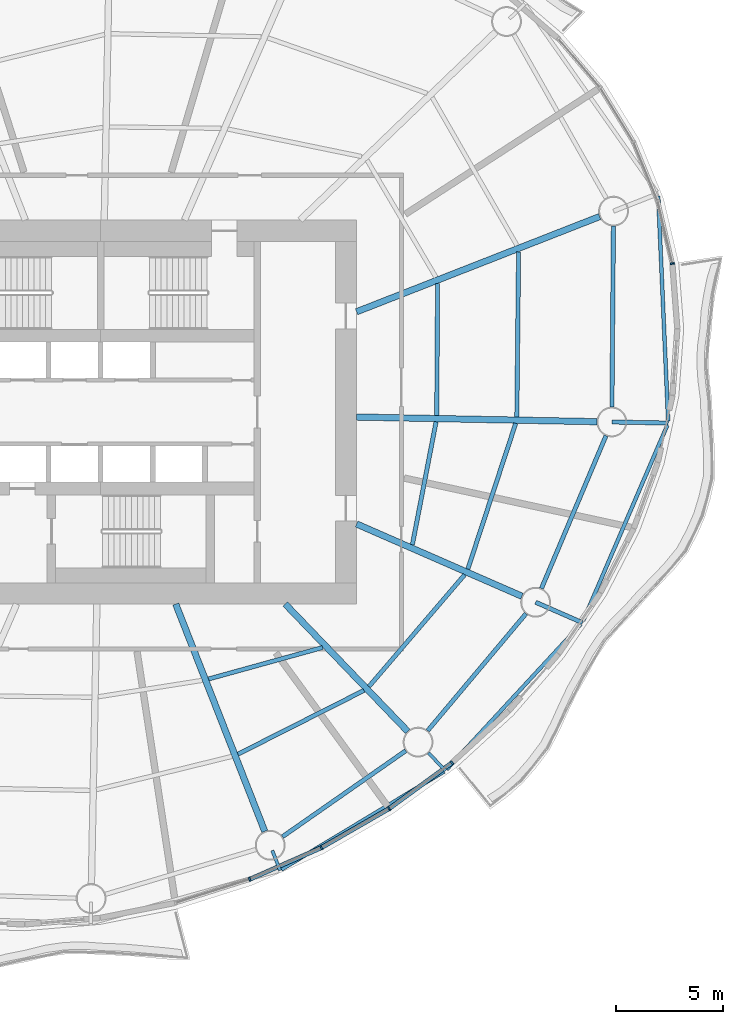
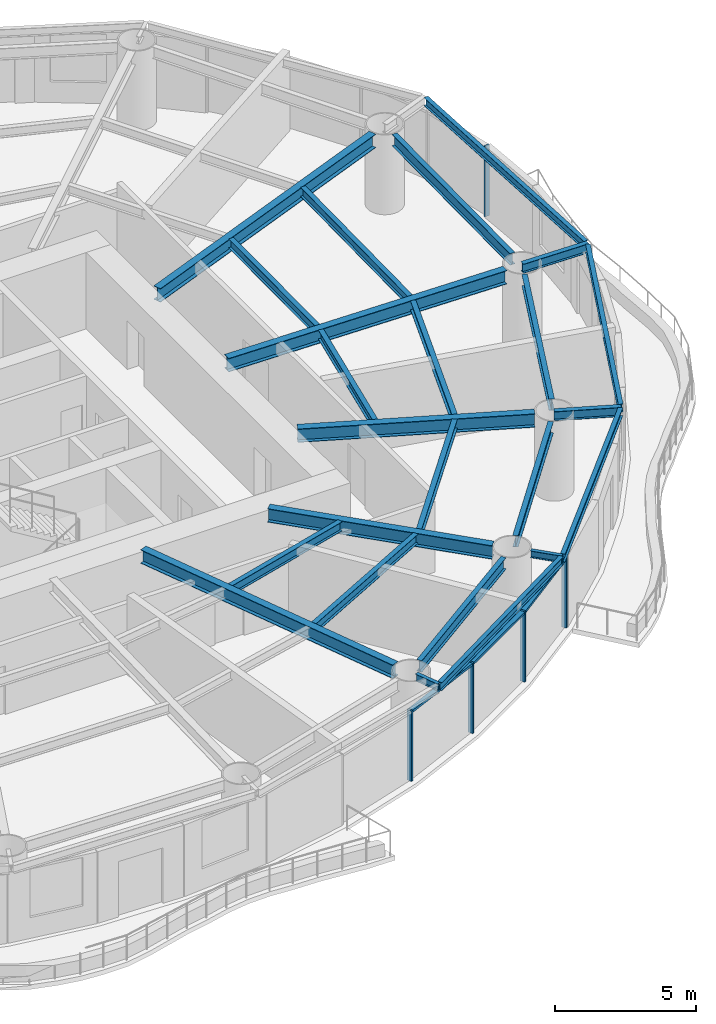
# One storey, part 4 of 14: 24 beams, 8 members, 4 elements without a shape of their own.
"""IFC4 building model written with IfcOpenShell, lengths in metres."""

from ifc_helpers import new_model, si_unit, direction, frame, origin, origin_2d, place, context, subcontext, project, spatial, rectangle, i_section, extrude, material, material_profile, profile_set, type_object, element, aggregate, save


model = new_model("IFC4")

# Units and contexts
model_context = context("Model", 3, precision=1e-05, world=origin(), true_north=direction((0.0, 1.0)))
body_context = subcontext(model_context, "Body", "Model", "MODEL_VIEW")
ifc_project = project(units=[si_unit("LENGTHUNIT", "METRE"), si_unit("AREAUNIT", "SQUARE_METRE"), si_unit("VOLUMEUNIT", "CUBIC_METRE"), si_unit("PLANEANGLEUNIT", "RADIAN"), si_unit("MASSUNIT", "GRAM", prefix="KILO")], contexts=[model_context])

# Site, building, storey
site_placement = place(None, origin())
site = spatial("IfcSite", under=ifc_project, at=site_placement, CompositionType="ELEMENT")
building_placement = place(site_placement, origin())
building = spatial("IfcBuilding", under=site, at=building_placement, Name="Vermilion Reach Broadcast Tower", CompositionType="ELEMENT")
storey_placement = place(building_placement, frame((0.0, 0.0, 143.39990234375)))
storey = spatial("IfcBuildingStorey", under=building, at=storey_placement, Name="L33", CompositionType="ELEMENT", Elevation=143.39990234375)

# Beams
ifc_material_1 = material(Name="Steel S355J2", Category="steel")
ifc_material_profile_1 = material_profile(ifc_material_1, i_section(OverallWidth=0.175048828125, OverallDepth=0.35009765625, WebThickness=0.007080078125, FlangeThickness=0.010986328125, at=origin_2d()), Name="S355J2 HN 350x175x7x11")
ifc_profile_set_1 = profile_set([ifc_material_profile_1], Name="Steel S355J2")
beam_type_1 = type_object("IfcBeamType", Name="EB3 HN 350x175x7x11", PredefinedType="BEAM", material=ifc_profile_set_1)
beam_1_placement = place(storey_placement, frame((2.47705078125, -21.436279296875, 3.275146484375), z_axis=(0.856561978584, 0.516044161718, 0.0), x_axis=(-0.516044161718, 0.856561978584, 0.0)))
element("IfcBeam", 1, at=beam_1_placement, inside=storey, type_object=beam_type_1, Name="Edge beam EB3-12", PredefinedType="BEAM", context=body_context, shape_type="SweptSolid", body=[
    extrude(i_section(OverallWidth=0.175048828125, OverallDepth=0.35009765625, WebThickness=0.007080078125, FlangeThickness=0.010986328125, at=origin_2d()), origin(), (0.0, 0.0, 1.0), 8.89892578125),
])
beam_2_placement = place(storey_placement, frame((10.216552734375, -16.7490234375, 3.275146484375), z_axis=(0.67884029594, 0.73428594744, 0.0), x_axis=(-0.73428594744, 0.67884029594, 0.0)))
element("IfcBeam", 2, at=beam_2_placement, inside=storey, type_object=beam_type_1, Name="Edge beam EB3-13", PredefinedType="BEAM", context=body_context, shape_type="SweptSolid", body=[
    extrude(i_section(OverallWidth=0.175048828125, OverallDepth=0.35009765625, WebThickness=0.007080078125, FlangeThickness=0.010986328125, at=origin_2d()), origin(), (0.0, 0.0, 1.0), 9.264404296875),
])
beam_3_placement = place(storey_placement, frame((16.616943359375, -9.776611328125, 3.275146484375), z_axis=(0.395428238407, 0.918496874393, 0.0), x_axis=(-0.918496874393, 0.395428238407, 0.0)))
element("IfcBeam", 3, at=beam_3_placement, inside=storey, type_object=beam_type_1, Name="Edge beam EB3-14", PredefinedType="BEAM", context=body_context, shape_type="SweptSolid", body=[
    extrude(i_section(OverallWidth=0.175048828125, OverallDepth=0.35009765625, WebThickness=0.007080078125, FlangeThickness=0.010986328125, at=origin_2d()), origin(), (0.0, 0.0, 1.0), 9.974853515625),
])
beam_4_placement = place(storey_placement, frame((20.599609375, -0.415283203125, 3.275146484375), z_axis=(-0.044157954305, 0.999024561796, 0.0), x_axis=(-0.999024561796, -0.044157954305, 0.0)))
element("IfcBeam", 4, at=beam_4_placement, inside=storey, type_object=beam_type_1, Name="Edge beam EB3-15", PredefinedType="BEAM", context=body_context, shape_type="SweptSolid", body=[
    extrude(i_section(OverallWidth=0.175048828125, OverallDepth=0.35009765625, WebThickness=0.007080078125, FlangeThickness=0.010986328125, at=origin_2d()), origin(), (0.0, 0.0, 1.0), 10.554443359375),
])
ifc_material_2 = material(Name="Steel S355J2", Category="steel")
ifc_material_profile_2 = material_profile(ifc_material_2, i_section(OverallWidth=0.300048828125, OverallDepth=0.587890625, WebThickness=0.011962890625, FlangeThickness=0.02001953125, at=origin_2d()), Name="S355J2 HM 588x300x12x20")
ifc_profile_set_2 = profile_set([ifc_material_profile_2], Name="Steel S355J2")
beam_type_2 = type_object("IfcBeamType", Name="G3 HM 588x300x12x20", PredefinedType="BEAM", material=ifc_profile_set_2)
beam_5_placement = place(storey_placement, frame((-2.474853515625, -9.0, 3.156005859375), z_axis=(0.364715649973, -0.931118947646, 0.0), x_axis=(0.931118947646, 0.364715649973, 0.0)))
element("IfcBeam", 5, at=beam_5_placement, inside=storey, type_object=beam_type_2, Name="Girder G3-12", PredefinedType="BEAM", context=body_context, shape_type="SweptSolid", body=[
    extrude(i_section(OverallWidth=0.300048828125, OverallDepth=0.587890625, WebThickness=0.011962890625, FlangeThickness=0.02001953125, at=origin_2d()), origin(), (0.0, 0.0, 1.0), 11.436767578125),
])
beam_6_placement = place(storey_placement, frame((2.657958984375, -9.0, 3.156005859375), z_axis=(0.693282657492, -0.72066577331, 0.0), x_axis=(0.72066577331, 0.693282657492, 0.0)))
element("IfcBeam", 6, at=beam_6_placement, inside=storey, type_object=beam_type_2, Name="Girder G3-13", PredefinedType="BEAM", context=body_context, shape_type="SweptSolid", body=[
    extrude(i_section(OverallWidth=0.300048828125, OverallDepth=0.587890625, WebThickness=0.011962890625, FlangeThickness=0.02001953125, at=origin_2d()), origin(), (0.0, 0.0, 1.0), 8.273681640625),
])
beam_7_placement = place(storey_placement, frame((6.0, -5.2451171875, 3.156005859375), z_axis=(0.916287847036, -0.400520388213, 0.0), x_axis=(0.400520388213, 0.916287847036, 0.0)))
element("IfcBeam", 7, at=beam_7_placement, inside=storey, type_object=beam_type_2, Name="Girder G3-14", PredefinedType="BEAM", context=body_context, shape_type="SweptSolid", body=[
    extrude(i_section(OverallWidth=0.300048828125, OverallDepth=0.587890625, WebThickness=0.011962890625, FlangeThickness=0.02001953125, at=origin_2d()), origin(), (0.0, 0.0, 1.0), 8.45458984375),
])
beam_8_placement = place(storey_placement, frame((6.0, -0.232421875, 3.156005859375), z_axis=(0.999812170888, -0.019380994401, 0.0), x_axis=(0.019380994401, 0.999812170888, 0.0)))
element("IfcBeam", 8, at=beam_8_placement, inside=storey, type_object=beam_type_2, Name="Girder G3-15", PredefinedType="BEAM", context=body_context, shape_type="SweptSolid", body=[
    extrude(i_section(OverallWidth=0.300048828125, OverallDepth=0.587890625, WebThickness=0.011962890625, FlangeThickness=0.02001953125, at=origin_2d()), origin(), (0.0, 0.0, 1.0), 11.26171875),
])
beam_9_placement = place(storey_placement, frame((6.0, 4.700439453125, 3.156005859375), z_axis=(0.931124635714, 0.364701128004, 0.0), x_axis=(-0.364701128004, 0.931124635714, 0.0)))
element("IfcBeam", 9, at=beam_9_placement, inside=storey, type_object=beam_type_2, Name="Girder G3-16", PredefinedType="BEAM", context=body_context, shape_type="SweptSolid", body=[
    extrude(i_section(OverallWidth=0.300048828125, OverallDepth=0.587890625, WebThickness=0.011962890625, FlangeThickness=0.02001953125, at=origin_2d()), origin(), (0.0, 0.0, 1.0), 12.231201171875),
])
ifc_material_3 = material(Name="Steel S355J2", Category="steel")
ifc_material_profile_3 = material_profile(ifc_material_3, i_section(OverallWidth=0.199951171875, OverallDepth=0.39990234375, WebThickness=0.008056640625, FlangeThickness=0.012939453125, at=origin_2d()), Name="S355J2 HN 400x200x8x13")
ifc_profile_set_3 = profile_set([ifc_material_profile_3], Name="Steel S355J2")
beam_type_3 = type_object("IfcBeamType", Name="GC3 HN 400x200x8x13", PredefinedType="BEAM", material=ifc_profile_set_3)
beam_10_placement = place(storey_placement, frame((14.38818359375, -8.91162109375, 3.25), z_axis=(0.916272210902, -0.400556157771, 0.0), x_axis=(0.400556157771, 0.916272210902, 0.0)))
element("IfcBeam", 10, at=beam_10_placement, inside=storey, type_object=beam_type_3, Name="Cantilever girder GC3-14", PredefinedType="BEAM", context=body_context, shape_type="SweptSolid", body=[
    extrude(i_section(OverallWidth=0.199951171875, OverallDepth=0.39990234375, WebThickness=0.008056640625, FlangeThickness=0.012939453125, at=origin_2d()), origin(), (0.0, 0.0, 1.0), 2.38916015625),
])
beam_11_placement = place(storey_placement, frame((17.95947265625, -0.464111328125, 3.25), z_axis=(0.999812125046, -0.019383359145, 0.0), x_axis=(0.019383359145, 0.999812125046, 0.0)))
element("IfcBeam", 11, at=beam_11_placement, inside=storey, type_object=beam_type_3, Name="Cantilever girder GC3-15", PredefinedType="BEAM", context=body_context, shape_type="SweptSolid", body=[
    extrude(i_section(OverallWidth=0.199951171875, OverallDepth=0.39990234375, WebThickness=0.008056640625, FlangeThickness=0.012939453125, at=origin_2d()), origin(), (0.0, 0.0, 1.0), 2.64501953125),
])
ifc_material_4 = material(Name="Steel S355J2", Category="steel")
ifc_material_profile_4 = material_profile(ifc_material_4, i_section(OverallWidth=0.14990234375, OverallDepth=0.300048828125, WebThickness=0.006591796875, FlangeThickness=0.009033203125, at=origin_2d()), Name="S355J2 HN 300x150x6.5x9")
ifc_profile_set_4 = profile_set([ifc_material_profile_4], Name="Steel S355J2")
beam_type_4 = type_object("IfcBeamType", Name="GS3 HN 300x150x6.5x9", PredefinedType="BEAM", material=ifc_profile_set_4)
beam_12_placement = place(storey_placement, frame((2.047119140625, -20.54443359375, 3.300048828125), z_axis=(0.364730702407, -0.931113051526, 0.0), x_axis=(0.931113051526, 0.364730702407, 0.0)))
element("IfcBeam", 12, at=beam_12_placement, inside=storey, type_object=beam_type_4, Name="Cantilever stub GS3-12", PredefinedType="BEAM", context=body_context, shape_type="SweptSolid", body=[
    extrude(i_section(OverallWidth=0.14990234375, OverallDepth=0.300048828125, WebThickness=0.006591796875, FlangeThickness=0.009033203125, at=origin_2d()), origin(), (0.0, 0.0, 1.0), 1.0),
])
beam_13_placement = place(storey_placement, frame((9.364501953125, -15.9716796875, 3.300048828125), z_axis=(0.693345176879, -0.720605624248, 0.0), x_axis=(0.720605624248, 0.693345176879, 0.0)))
element("IfcBeam", 13, at=beam_13_placement, inside=storey, type_object=beam_type_4, Name="Cantilever stub GS3-13", PredefinedType="BEAM", context=body_context, shape_type="SweptSolid", body=[
    extrude(i_section(OverallWidth=0.14990234375, OverallDepth=0.300048828125, WebThickness=0.006591796875, FlangeThickness=0.009033203125, at=origin_2d()), origin(), (0.0, 0.0, 1.0), 1.1552734375),
])
ifc_material_5 = material(Name="Steel S355J2", Category="steel")
ifc_material_profile_5 = material_profile(ifc_material_5, i_section(OverallWidth=0.199951171875, OverallDepth=0.5, WebThickness=0.010009765625, FlangeThickness=0.01611328125, at=origin_2d()), Name="S355J2 HN 500x200x10x16")
ifc_profile_set_5 = profile_set([ifc_material_profile_5], Name="Steel S355J2")
beam_type_5 = type_object("IfcBeamType", Name="RB3 HN 500x200x10x16", PredefinedType="BEAM", material=ifc_profile_set_5)
beam_14_placement = place(storey_placement, frame((2.525634765625, -19.900146484375, 3.2001953125), z_axis=(0.820111453349, 0.572203813415, 0.0), x_axis=(-0.572203813415, 0.820111453349, 0.0)))
element("IfcBeam", 14, at=beam_14_placement, inside=storey, type_object=beam_type_5, Name="Ring beam RB3-12", PredefinedType="BEAM", context=body_context, shape_type="SweptSolid", body=[
    extrude(i_section(OverallWidth=0.199951171875, OverallDepth=0.5, WebThickness=0.010009765625, FlangeThickness=0.01611328125, at=origin_2d()), origin(), (0.0, 0.0, 1.0), 7.04736328125),
])
beam_15_placement = place(storey_placement, frame((9.32958984375, -14.931396484375, 3.2001953125), z_axis=(0.643350337931, 0.765571905626, 0.0), x_axis=(-0.765571905626, 0.643350337931, 0.0)))
element("IfcBeam", 15, at=beam_15_placement, inside=storey, type_object=beam_type_5, Name="Ring beam RB3-13", PredefinedType="BEAM", context=body_context, shape_type="SweptSolid", body=[
    extrude(i_section(OverallWidth=0.199951171875, OverallDepth=0.5, WebThickness=0.010009765625, FlangeThickness=0.01611328125, at=origin_2d()), origin(), (0.0, 0.0, 1.0), 7.1630859375),
])
beam_16_placement = place(storey_placement, frame((14.660888671875, -8.266845703125, 3.2001953125), z_axis=(0.389368386196, 0.921082113512, 0.0), x_axis=(-0.921082113512, 0.389368386196, 0.0)))
element("IfcBeam", 16, at=beam_16_placement, inside=storey, type_object=beam_type_5, Name="Ring beam RB3-14", PredefinedType="BEAM", context=body_context, shape_type="SweptSolid", body=[
    extrude(i_section(OverallWidth=0.199951171875, OverallDepth=0.5, WebThickness=0.010009765625, FlangeThickness=0.01611328125, at=origin_2d()), origin(), (0.0, 0.0, 1.0), 7.771240234375),
])
beam_17_placement = place(storey_placement, frame((17.965087890625, 0.23583984375, 3.2001953125), z_axis=(0.008204232036, 0.999966344722, 0.0), x_axis=(-0.999966344722, 0.008204232036, 0.0)))
element("IfcBeam", 17, at=beam_17_placement, inside=storey, type_object=beam_type_5, Name="Ring beam RB3-15", PredefinedType="BEAM", context=body_context, shape_type="SweptSolid", body=[
    extrude(i_section(OverallWidth=0.199951171875, OverallDepth=0.5, WebThickness=0.010009765625, FlangeThickness=0.01611328125, at=origin_2d()), origin(), (0.0, 0.0, 1.0), 8.48095703125),
])
ifc_material_6 = material(Name="Steel S355J2", Category="steel")
ifc_material_profile_6 = material_profile(ifc_material_6, i_section(OverallWidth=0.199951171875, OverallDepth=0.39990234375, WebThickness=0.008056640625, FlangeThickness=0.012939453125, at=origin_2d()), Name="S355J2 HN 400x200x8x13")
ifc_profile_set_6 = profile_set([ifc_material_profile_6], Name="Steel S355J2")
beam_type_6 = type_object("IfcBeamType", Name="SB3 HN 400x200x8x13", PredefinedType="BEAM", material=ifc_profile_set_6)
beam_18_placement = place(storey_placement, frame((-0.93896484375, -12.509521484375, 3.25), z_axis=(0.963889790258, 0.266301468708, 0.0), x_axis=(-0.266301468708, 0.963889790258, 0.0)))
element("IfcBeam", 18, at=beam_18_placement, inside=storey, type_object=beam_type_6, Name="Secondary beam SB3-12-1", PredefinedType="BEAM", context=body_context, shape_type="SweptSolid", body=[
    extrude(i_section(OverallWidth=0.199951171875, OverallDepth=0.39990234375, WebThickness=0.008056640625, FlangeThickness=0.012939453125, at=origin_2d()), origin(), (0.0, 0.0, 1.0), 5.544677734375),
])
beam_19_placement = place(storey_placement, frame((0.4404296875, -16.03125, 3.25), z_axis=(0.892320561657, 0.451402276516, 0.0), x_axis=(-0.451402276516, 0.892320561657, 0.0)))
element("IfcBeam", 19, at=beam_19_placement, inside=storey, type_object=beam_type_6, Name="Secondary beam SB3-12-2", PredefinedType="BEAM", context=body_context, shape_type="SweptSolid", body=[
    extrude(i_section(OverallWidth=0.199951171875, OverallDepth=0.39990234375, WebThickness=0.008056640625, FlangeThickness=0.012939453125, at=origin_2d()), origin(), (0.0, 0.0, 1.0), 6.613525390625),
])
beam_20_placement = place(storey_placement, frame((6.579833984375, -12.860595703125, 3.25), z_axis=(0.650167134505, 0.759791219487, 0.0), x_axis=(-0.759791219487, 0.650167134505, 0.0)))
element("IfcBeam", 20, at=beam_20_placement, inside=storey, type_object=beam_type_6, Name="Secondary beam SB3-13-2", PredefinedType="BEAM", context=body_context, shape_type="SweptSolid", body=[
    extrude(i_section(OverallWidth=0.199951171875, OverallDepth=0.39990234375, WebThickness=0.008056640625, FlangeThickness=0.012939453125, at=origin_2d()), origin(), (0.0, 0.0, 1.0), 6.89501953125),
])
beam_21_placement = place(storey_placement, frame((8.611328125, -6.222900390625, 3.25), z_axis=(0.189462365782, 0.981887983404, 0.0), x_axis=(-0.981887983404, 0.189462365782, 0.0)))
element("IfcBeam", 21, at=beam_21_placement, inside=storey, type_object=beam_type_6, Name="Secondary beam SB3-14-1", PredefinedType="BEAM", context=body_context, shape_type="SweptSolid", body=[
    extrude(i_section(OverallWidth=0.199951171875, OverallDepth=0.39990234375, WebThickness=0.008056640625, FlangeThickness=0.012939453125, at=origin_2d()), origin(), (0.0, 0.0, 1.0), 5.874755859375),
])
beam_22_placement = place(storey_placement, frame((11.211669921875, -7.359375, 3.25), z_axis=(0.312243016281, 0.950002262515, 0.0), x_axis=(-0.950002262515, 0.312243016281, 0.0)))
element("IfcBeam", 22, at=beam_22_placement, inside=storey, type_object=beam_type_6, Name="Secondary beam SB3-14-2", PredefinedType="BEAM", context=body_context, shape_type="SweptSolid", body=[
    extrude(i_section(OverallWidth=0.199951171875, OverallDepth=0.39990234375, WebThickness=0.008056640625, FlangeThickness=0.012939453125, at=origin_2d()), origin(), (0.0, 0.0, 1.0), 7.19189453125),
])
beam_23_placement = place(storey_placement, frame((9.754150390625, -0.1552734375, 3.25), z_axis=(0.006635449147, 0.999977985165, 0.0), x_axis=(-0.999977985165, 0.006635449147, 0.0)))
element("IfcBeam", 23, at=beam_23_placement, inside=storey, type_object=beam_type_6, Name="Secondary beam SB3-15-1", PredefinedType="BEAM", context=body_context, shape_type="SweptSolid", body=[
    extrude(i_section(OverallWidth=0.199951171875, OverallDepth=0.39990234375, WebThickness=0.008056640625, FlangeThickness=0.012939453125, at=origin_2d()), origin(), (0.0, 0.0, 1.0), 6.181396484375),
])
beam_24_placement = place(storey_placement, frame((13.508056640625, -0.22802734375, 3.25), z_axis=(0.010691708672, 0.999942842049, 0.0), x_axis=(-0.999942842049, 0.010691708672, 0.0)))
element("IfcBeam", 24, at=beam_24_placement, inside=storey, type_object=beam_type_6, Name="Secondary beam SB3-15-2", PredefinedType="BEAM", context=body_context, shape_type="SweptSolid", body=[
    extrude(i_section(OverallWidth=0.199951171875, OverallDepth=0.39990234375, WebThickness=0.008056640625, FlangeThickness=0.012939453125, at=origin_2d()), origin(), (0.0, 0.0, 1.0), 7.740966796875),
])

# Curtain wall, member
ifc_material_7 = material(Name="Low-e laminated clear glass in aluminium frame", Category="aluminium")
curtain_wall_type = type_object("IfcCurtainWallType", Name="Slot curtain wall", PredefinedType="NOTDEFINED", material=ifc_material_7)
placement = place(storey_placement, origin())
curtain_wall_1 = element("IfcCurtainWall", 25, at=placement, inside=storey, type_object=curtain_wall_type, Name="Slot curtain wall L33 46", PredefinedType="NOTDEFINED")
ifc_material_8 = material(Name="Anodised aluminium", Category="aluminium")
ifc_material_profile_7 = material_profile(ifc_material_8, rectangle(XDim=0.199951171875, YDim=0.080078125, at=origin_2d()), Name="Slot mullion 80 x 200")
ifc_profile_set_7 = profile_set([ifc_material_profile_7], Name="Anodised aluminium")
member_type_1 = type_object("IfcMemberType", Name="Slot mullion 80 x 200", PredefinedType="MULLION", material=ifc_profile_set_7)
member_1_placement = place(storey_placement, frame((20.79541015625, 6.958740234375, 0.0), z_axis=(0.0, 0.0, 1.0), x_axis=(-0.98821084004, -0.153099103942, 0.0)))
member_1 = element("IfcMember", 26, at=member_1_placement, type_object=member_type_1, Name="Slot mullion L33 46", PredefinedType="MULLION", context=body_context, shape_type="SweptSolid", body=[
    extrude(rectangle(XDim=0.199951171875, YDim=0.080078125, at=origin_2d()), origin(), (0.0, 0.0, 1.0), 3.050048828125),
])
aggregate(curtain_wall_1, [member_1])

curtain_wall_2 = element("IfcCurtainWall", 27, at=placement, inside=storey, type_object=curtain_wall_type, Name="Slot curtain wall L33 35", PredefinedType="NOTDEFINED")
member_2_placement = place(storey_placement, frame((0.9931640625, -21.89404296875, 0.0), z_axis=(0.0, 0.0, 1.0), x_axis=(-0.353704472197, 0.93535722927, 0.0)))
member_2 = element("IfcMember", 28, at=member_2_placement, type_object=member_type_1, Name="Slot mullion L33 35", PredefinedType="MULLION", context=body_context, shape_type="SweptSolid", body=[
    extrude(rectangle(XDim=0.199951171875, YDim=0.080078125, at=origin_2d()), origin(), (0.0, 0.0, 1.0), 3.050048828125),
])

curtain_wall_3 = element("IfcCurtainWall", 29, at=placement, inside=storey, type_object=curtain_wall_type, Name="Slot curtain wall L33 36", PredefinedType="NOTDEFINED")
member_3_placement = place(storey_placement, frame((4.34765625, -20.4140625, 0.0), z_axis=(0.0, 0.0, 1.0), x_axis=(-0.452123307744, 0.891955444288, 0.0)))
member_3 = element("IfcMember", 30, at=member_3_placement, type_object=member_type_1, Name="Slot mullion L33 36", PredefinedType="MULLION", context=body_context, shape_type="SweptSolid", body=[
    extrude(rectangle(XDim=0.199951171875, YDim=0.080078125, at=origin_2d()), origin(), (0.0, 0.0, 1.0), 3.050048828125),
])

# Curtain wall, members
curtain_wall_4 = element("IfcCurtainWall", 31, at=placement, inside=storey, type_object=curtain_wall_type, Name="Slot curtain wall L33 37", PredefinedType="NOTDEFINED")
member_4_placement = place(storey_placement, frame((7.5244140625, -18.583251953125, 0.0), z_axis=(0.0, 0.0, 1.0), x_axis=(-0.54531113532, 0.838233717823, 0.0)))
member_4 = element("IfcMember", 32, at=member_4_placement, type_object=member_type_1, Name="Slot mullion L33 37", PredefinedType="MULLION", context=body_context, shape_type="SweptSolid", body=[
    extrude(rectangle(XDim=0.199951171875, YDim=0.080078125, at=origin_2d()), origin(), (0.0, 0.0, 1.0), 3.050048828125),
])
member_5_placement = place(storey_placement, frame((10.468505859375, -16.43359375, 0.0), z_axis=(0.0, 0.0, 1.0), x_axis=(-0.633124214367, 0.774050211021, 0.0)))
member_5 = element("IfcMember", 33, at=member_5_placement, type_object=member_type_1, Name="Slot mullion L33 38", PredefinedType="MULLION", context=body_context, shape_type="SweptSolid", body=[
    extrude(rectangle(XDim=0.199951171875, YDim=0.080078125, at=origin_2d()), origin(), (0.0, 0.0, 1.0), 3.050048828125),
])

# Member
ifc_material_9 = material(Name="Anodised aluminium", Category="aluminium")
ifc_material_profile_8 = material_profile(ifc_material_9, rectangle(XDim=0.199951171875, YDim=0.10009765625, at=origin_2d()), Name="Slot transom 200 x 100")
ifc_profile_set_8 = profile_set([ifc_material_profile_8], Name="Anodised aluminium")
member_type_2 = type_object("IfcMemberType", Name="Slot transom 200 x 100", PredefinedType="USERDEFINED", material=ifc_profile_set_8)
member_6_placement = place(storey_placement, frame((1.02978515625, -21.8779296875, 3.0), z_axis=(0.914903013166, 0.403673725303, 0.0), x_axis=(-0.403673725303, 0.914903013166, 0.0)))
member_6 = element("IfcMember", 34, at=member_6_placement, type_object=member_type_2, Name="Slot transom L33 35.1", ObjectType="TRANSOM", PredefinedType="USERDEFINED", context=body_context, shape_type="SweptSolid", body=[
    extrude(rectangle(XDim=0.199951171875, YDim=0.10009765625, at=origin_2d()), origin(), (0.0, 0.0, 1.0), 3.58642578125),
])

aggregate(curtain_wall_2, [member_2, member_6])

member_7_placement = place(storey_placement, frame((4.38232421875, -20.39404296875, 3.0), z_axis=(0.866423476231, 0.499309883576, 0.0), x_axis=(-0.499309883576, 0.866423476231, 0.0)))
member_7 = element("IfcMember", 35, at=member_7_placement, type_object=member_type_2, Name="Slot transom L33 36.1", ObjectType="TRANSOM", PredefinedType="USERDEFINED", context=body_context, shape_type="SweptSolid", body=[
    extrude(rectangle(XDim=0.199951171875, YDim=0.10009765625, at=origin_2d()), origin(), (0.0, 0.0, 1.0), 3.58642578125),
])

aggregate(curtain_wall_3, [member_3, member_7])

member_8_placement = place(storey_placement, frame((7.556640625, -18.559814453125, 3.0), z_axis=(0.807600574235, 0.589729864001, 0.0), x_axis=(-0.589729864001, 0.807600574235, 0.0)))
member_8 = element("IfcMember", 36, at=member_8_placement, type_object=member_type_2, Name="Slot transom L33 37.1", ObjectType="TRANSOM", PredefinedType="USERDEFINED", context=body_context, shape_type="SweptSolid", body=[
    extrude(rectangle(XDim=0.199951171875, YDim=0.10009765625, at=origin_2d()), origin(), (0.0, 0.0, 1.0), 3.565673828125),
])

aggregate(curtain_wall_4, [member_4, member_5, member_8])

save(model, "model.ifc")
